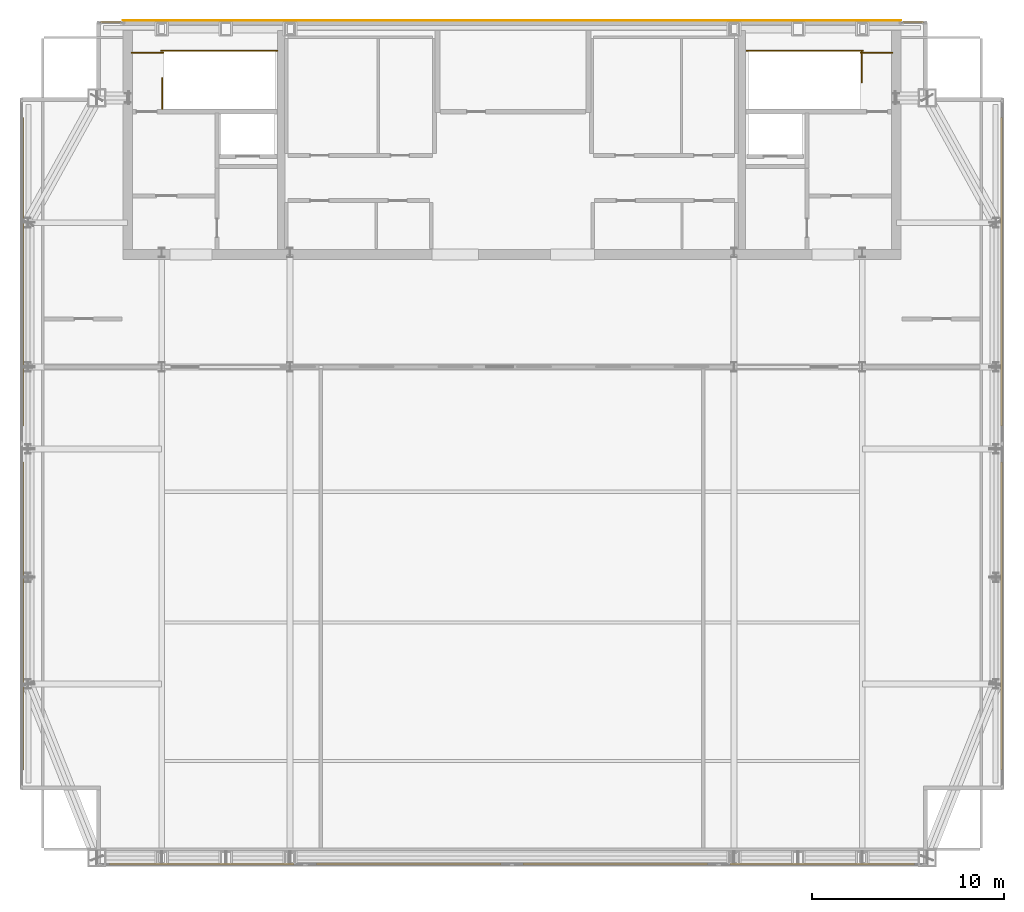
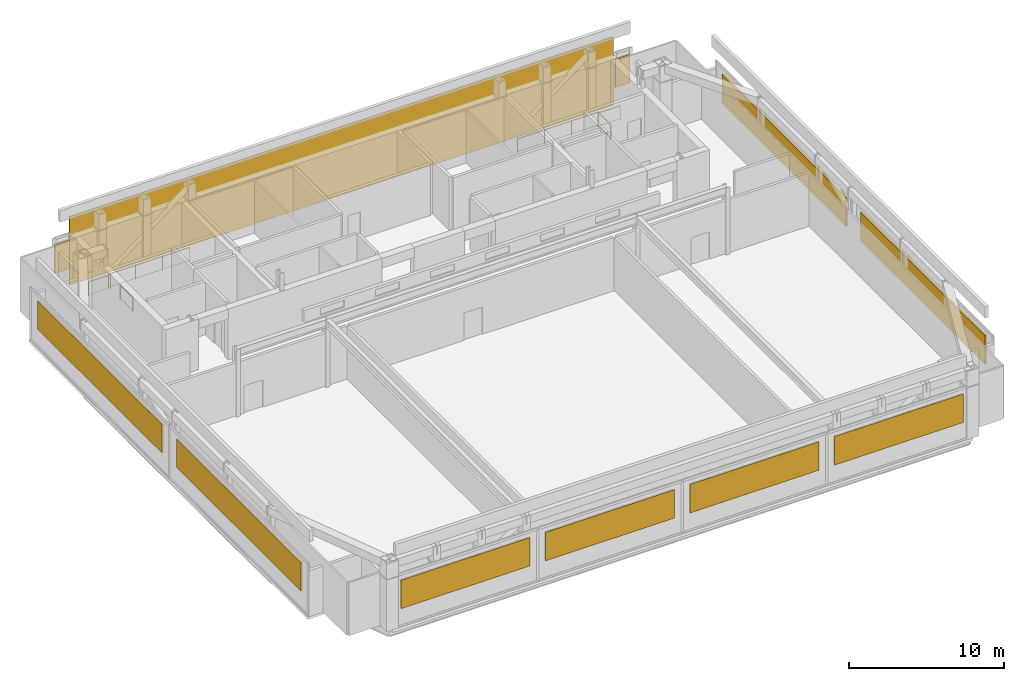
# One storey, part 24 of 24: 10 shading devices, 6 railings, 1 covering.
"""IFC4 building model written with IfcOpenShell, lengths in metres."""

import ifcopenshell
import ifcopenshell.guid

model = None  # the IFC model being written
_history = None  # IfcOwnerHistory: only IFC2X3 demands one
_inside = {}  # id of a spatial element -> (the spatial element, [elements in it])
_under = {}  # id of a project, library or spatial element -> (it, [spatial elements below it])
_declared = {}  # id of a project -> (the project, [libraries it declares])
_typed = {}  # id of a type object -> (the type object, [elements of that type])
_made_of = {}  # id of a material, layer set ... -> (it, [elements and type objects made of it])


def new_model(schema):
    """Start an empty IFC model of exactly this schema.

    Asked for "IFC4X3", IfcOpenShell would pick the latest addendum, in which some entities
    have other attributes; the version numbers below select the first issue.
    IFC2X3 requires an IfcOwnerHistory on every rooted entity: one is made here for all.
    """
    global model, _history
    if schema == "IFC4X3":
        model = ifcopenshell.file(schema_version=(4, 3, 0, 0))
    else:
        model = ifcopenshell.file(schema=schema)
    _inside.clear()
    _under.clear()
    _declared.clear()
    _typed.clear()
    _made_of.clear()
    _history = None
    if model.schema == "IFC2X3":
        org = make("IfcOrganization", Name="unknown")
        user = make(
            "IfcPersonAndOrganization",
            ThePerson=make("IfcPerson", FamilyName="unknown"),
            TheOrganization=org,
        )
        app = make(
            "IfcApplication",
            ApplicationDeveloper=org,
            Version="unknown",
            ApplicationFullName="unknown",
            ApplicationIdentifier="unknown",
        )
        _history = make(
            "IfcOwnerHistory",
            OwningUser=user,
            OwningApplication=app,
            ChangeAction="ADDED",
            CreationDate=0,
        )
    return model


def make(cls, **values):
    """One entity of the class cls with the attributes given. An attribute that is None is left unset."""
    return model.create_entity(
        cls, **{name: value for name, value in values.items() if value is not None}
    )


def rooted(cls, **values):
    """An entity with a GlobalId (a new one), such as an element, a storey or a relation."""
    return make(cls, GlobalId=ifcopenshell.guid.new(), OwnerHistory=_history, **values)


def si_unit(unit_type, name, prefix=None):
    """IfcSIUnit, for example si_unit("LENGTHUNIT", "METRE", prefix="MILLI")."""
    return make("IfcSIUnit", UnitType=unit_type, Prefix=prefix, Name=name)


def assignment(units):
    """IfcUnitAssignment: the units of a project."""
    return None if units is None else make("IfcUnitAssignment", Units=units)


def point(xyz):
    """IfcCartesianPoint."""
    return None if xyz is None else make("IfcCartesianPoint", Coordinates=xyz)


def direction(xyz):
    """IfcDirection."""
    return None if xyz is None else make("IfcDirection", DirectionRatios=xyz)


def frame(location, z_axis=None, x_axis=None):
    """IfcAxis2Placement3D, a coordinate frame: its origin and axes. An axis left out is left unset."""
    return make(
        "IfcAxis2Placement3D",
        Location=point(location),
        Axis=direction(z_axis),
        RefDirection=direction(x_axis),
    )


def frame_2d(location, x_axis=None):
    """IfcAxis2Placement2D, a coordinate frame in the plane: its origin and x axis."""
    return make(
        "IfcAxis2Placement2D", Location=point(location), RefDirection=direction(x_axis)
    )


def origin():
    """The frame at (0, 0, 0) with its axes left unset."""
    return frame((0.0, 0.0, 0.0))


def origin_2d():
    """The frame at (0, 0) in the plane with its x axis left unset."""
    return frame_2d((0.0, 0.0))


def place(relative_to, where):
    """IfcLocalPlacement: puts the frame where relative to a parent placement (None: the world)."""
    return make(
        "IfcLocalPlacement", PlacementRelTo=relative_to, RelativePlacement=where
    )


def context(
    kind, dimensions, precision=None, world=None, true_north=None, identifier=None
):
    """IfcGeometricRepresentationContext, for example the 3D "Model" context."""
    return make(
        "IfcGeometricRepresentationContext",
        ContextIdentifier=identifier,
        ContextType=kind,
        CoordinateSpaceDimension=dimensions,
        Precision=precision,
        WorldCoordinateSystem=world,
        TrueNorth=true_north,
    )


def subcontext(parent, identifier, kind, view, scale=None):
    """IfcGeometricRepresentationSubContext, for example "Body" below "Model"."""
    return make(
        "IfcGeometricRepresentationSubContext",
        ContextIdentifier=identifier,
        ContextType=kind,
        ParentContext=parent,
        TargetScale=scale,
        TargetView=view,
    )


def project(units=None, contexts=None):
    """IfcProject with its units and contexts."""
    return rooted(
        "IfcProject",
        Name="project",
        RepresentationContexts=contexts,
        UnitsInContext=assignment(units),
    )


def spatial(cls, under=None, at=None, **own):
    """A site, building, storey or space (cls), placed at a placement, below another one or the project."""
    s = rooted(cls, ObjectPlacement=at, **own)
    if under is not None:
        _under.setdefault(under.id(), (under, []))[1].append(s)
    return s


def polyline(points):
    """IfcPolyline through the points."""
    return make("IfcPolyline", Points=[point(p) for p in points])


def profile(cls, at=None, kind="AREA", **sizes):
    """A parametric profile (cls). Its sizes go by their IFC names, for example OverallWidth=200.0."""
    return make(cls, ProfileType=kind, Position=at, **sizes)


def rectangle(**sizes):
    """IfcRectangleProfileDef."""
    return profile("IfcRectangleProfileDef", **sizes)


def outline(outer, holes=None, kind="AREA"):
    """IfcArbitraryClosedProfileDef: a profile drawn as a closed curve; with holes, ...WithVoids."""
    if holes is None:
        return make("IfcArbitraryClosedProfileDef", ProfileType=kind, OuterCurve=outer)
    return make(
        "IfcArbitraryProfileDefWithVoids",
        ProfileType=kind,
        OuterCurve=outer,
        InnerCurves=holes,
    )


def extrude(swept, where, along, depth):
    """IfcExtrudedAreaSolid: the profile swept, set in the frame where, extruded along a direction by depth."""
    return make(
        "IfcExtrudedAreaSolid",
        SweptArea=swept,
        Position=where,
        ExtrudedDirection=direction(along),
        Depth=depth,
    )


def shape(context_of_items, identifier, shape_type, items):
    """IfcShapeRepresentation: the items that make up one representation, for example the "Body"."""
    return make(
        "IfcShapeRepresentation",
        ContextOfItems=context_of_items,
        RepresentationIdentifier=identifier,
        RepresentationType=shape_type,
        Items=items,
    )


def material(Name=None, Category=None):
    """IfcMaterial."""
    return make("IfcMaterial", Name=Name, Category=Category)


def layer(
    of_material, thickness, ventilated=None, Name=None, Category=None, Priority=None
):
    """IfcMaterialLayer: one layer of a wall or slab, of a material (None: an air gap)."""
    return make(
        "IfcMaterialLayer",
        Material=of_material,
        LayerThickness=thickness,
        IsVentilated=ventilated,
        Name=Name,
        Category=Category,
        Priority=Priority,
    )


def layer_set(layers, Name=None):
    """IfcMaterialLayerSet."""
    return make("IfcMaterialLayerSet", MaterialLayers=layers, LayerSetName=Name)


def made_of(thing, what):
    """Note that an element or type object is made of a material, layer set ...; save() writes the relation."""
    if what is not None:
        _made_of.setdefault(what.id(), (what, []))[1].append(thing)
    return thing


def type_object(cls, material=None, **own):
    """A type object (cls), such as IfcWallType, which elements share."""
    return made_of(rooted(cls, **own), material)


def element(
    cls,
    number,
    at=None,
    inside=None,
    cuts=None,
    type_object=None,
    material=None,
    context=None,
    identifier="Body",
    shape_type=None,
    held_by="IfcProductDefinitionShape",
    body=None,
    shapes=None,
    **own,
):
    """One element of the class cls, such as IfcWall. Its Tag is "e" and its number.

    at: its placement. inside: the storey or other place that contains it. cuts: it is an
    opening in that element (IfcRelVoidsElement). A single representation is given by context,
    identifier, shape_type and body (its items); several are given by shapes. held_by: the class
    of the entity that holds the representations. save() writes the other relations.
    """
    e = rooted(cls, Tag="e%d" % number, ObjectPlacement=at, **own)
    if body is not None:
        shapes = [shape(context, identifier, shape_type, body)]
    if shapes is not None:
        e.Representation = make(held_by, Representations=shapes)
    if inside is not None:
        _inside.setdefault(inside.id(), (inside, []))[1].append(e)
    if cuts is not None:
        rooted(
            "IfcRelVoidsElement", RelatingBuildingElement=cuts, RelatedOpeningElement=e
        )
    if type_object is not None:
        _typed.setdefault(type_object.id(), (type_object, []))[1].append(e)
    return made_of(e, material)


def aggregate(whole, parts):
    """IfcRelAggregates: a whole, such as a stair, and the parts it consists of."""
    return rooted("IfcRelAggregates", RelatingObject=whole, RelatedObjects=parts)


def save(model, path):
    """Write the relations noted so far, then the file.

    IfcRelAggregates (storeys below a building ...), IfcRelContainedInSpatialStructure (elements
    in a storey), IfcRelDefinesByType, IfcRelAssociatesMaterial and IfcRelDeclares: one each for
    every whole, place, type object, material and project.
    """
    for whole, parts in _under.values():
        aggregate(whole, parts)
    for where, things in _inside.values():
        rooted(
            "IfcRelContainedInSpatialStructure",
            RelatedElements=things,
            RelatingStructure=where,
        )
    for kind, things in _typed.values():
        rooted("IfcRelDefinesByType", RelatedObjects=things, RelatingType=kind)
    for what, things in _made_of.values():
        rooted("IfcRelAssociatesMaterial", RelatedObjects=things, RelatingMaterial=what)
    for by, libraries in _declared.values():
        rooted("IfcRelDeclares", RelatingContext=by, RelatedDefinitions=libraries)
    model.write(path)


model = new_model("IFC4")

# Units and contexts
model_context = context("Model", 3, precision=1e-05, world=origin(), true_north=direction((0.0, 1.0)))
body_context = subcontext(model_context, "Body", "Model", "MODEL_VIEW")
ifc_project = project(units=[si_unit("LENGTHUNIT", "METRE"), si_unit("AREAUNIT", "SQUARE_METRE"), si_unit("VOLUMEUNIT", "CUBIC_METRE"), si_unit("PLANEANGLEUNIT", "RADIAN"), si_unit("MASSUNIT", "GRAM", prefix="KILO")], contexts=[model_context])

# Site, building, storey
site_placement = place(None, origin())
site = spatial("IfcSite", under=ifc_project, at=site_placement, CompositionType="ELEMENT")
building_placement = place(site_placement, origin())
building = spatial("IfcBuilding", under=site, at=building_placement, Name="Khoronbel Lancet Exchange", CompositionType="ELEMENT")
storey_placement = place(building_placement, frame((0.0, 0.0, 378.60009765625)))
storey = spatial("IfcBuildingStorey", under=building, at=storey_placement, Name="L96", CompositionType="ELEMENT", Elevation=378.60009765625)

# Covering
ifc_material_1 = material(Name="Honed Egyptian Limestone & Bronze Rainscreen", Category="masonry")
ifc_layer_1 = layer(ifc_material_1, 0.050048828125, Name="Honed Egyptian Limestone & Bronze Rainscreen")
ifc_layer_set_1 = layer_set([ifc_layer_1], Name="Honed Egyptian Limestone & Bronze Rainscreen")
covering_type = type_object("IfcCoveringType", Name="COV-CLAD1", PredefinedType="CLADDING", material=ifc_layer_set_1)
covering_placement = place(storey_placement, origin())
element("IfcCovering", 1, at=covering_placement, inside=storey, type_object=covering_type, Name="Level L96 north rear-core stone and bronze rainscreen cladding", PredefinedType="CLADDING", context=body_context, shape_type="SweptSolid", body=[
    extrude(outline(polyline([(16.199951171875, 53.699951171875), (56.699951171875, 53.699951171875), (56.699951171875, 53.75), (16.199951171875, 53.75), (16.199951171875, 53.699951171875)])), origin(), (0.0, 0.0, 1.0), 5.389892578125),
])

# Railings
ifc_material_2 = material(Name="Painted Steel Balustrade", Category="steel")
railing_type = type_object("IfcRailingType", Name="RL-STG110", PredefinedType="GUARDRAIL", material=ifc_material_2)
railing_1_placement = place(storey_placement, frame((18.25, 49.1201171875, 0.0)))
element("IfcRailing", 2, at=railing_1_placement, inside=storey, type_object=railing_type, Name="L96 ST1 top well guard 1", PredefinedType="GUARDRAIL", context=body_context, shape_type="SweptSolid", body=[
    extrude(rectangle(XDim=0.048095703125, YDim=0.048095703125, at=origin_2d()), frame((0.0, 0.0, 1.09619140625), z_axis=(0.0, 1.0, 0.0), x_axis=(-1.0, 0.0, 0.0)), (0.0, 0.0, 1.0), 1.599853515625),
    extrude(rectangle(XDim=0.02392578125, YDim=0.02392578125, at=origin_2d()), frame((0.0, 0.0, 0.080078125), z_axis=(0.0, 1.0, 0.0), x_axis=(-1.0, 0.0, 0.0)), (0.0, 0.0, 1.0), 1.599853515625),
    extrude(rectangle(XDim=0.0419921875, YDim=0.0419921875, at=origin_2d()), origin(), (0.0, 0.0, 1.0), 1.072021484375),
    extrude(rectangle(XDim=0.0419921875, YDim=0.0419921875, at=origin_2d()), frame((0.0, 1.599853515625, 0.0)), (0.0, 0.0, 1.0), 1.072021484375),
])
railing_2_placement = place(storey_placement, frame((18.199951171875, 52.14990234375, 0.0)))
element("IfcRailing", 3, at=railing_2_placement, inside=storey, type_object=railing_type, Name="L96 ST1 top well guard 2", PredefinedType="GUARDRAIL", context=body_context, shape_type="SweptSolid", body=[
    extrude(rectangle(XDim=0.048095703125, YDim=0.048095703125, at=origin_2d()), frame((0.0, 0.0, 1.09619140625), z_axis=(1.0, 0.0, 0.0), x_axis=(0.0, 1.0, 0.0)), (0.0, 0.0, 1.0), 6.050048828125),
    extrude(rectangle(XDim=0.02392578125, YDim=0.02392578125, at=origin_2d()), frame((0.0, 0.0, 0.080078125), z_axis=(1.0, 0.0, 0.0), x_axis=(0.0, 1.0, 0.0)), (0.0, 0.0, 1.0), 6.050048828125),
    extrude(rectangle(XDim=0.0419921875, YDim=0.0419921875, at=origin_2d()), origin(), (0.0, 0.0, 1.0), 1.072021484375),
    extrude(rectangle(XDim=0.0419921875, YDim=0.0419921875, at=origin_2d()), frame((2.0166015625, 0.0, 0.0)), (0.0, 0.0, 1.0), 1.072021484375),
    extrude(rectangle(XDim=0.0419921875, YDim=0.0419921875, at=origin_2d()), frame((4.033447265625, 0.0, 0.0)), (0.0, 0.0, 1.0), 1.072021484375),
    extrude(rectangle(XDim=0.0419921875, YDim=0.0419921875, at=origin_2d()), frame((6.050048828125, 0.0, 0.0)), (0.0, 0.0, 1.0), 1.072021484375),
])
railing_3_placement = place(storey_placement, frame((16.64990234375, 52.050048828125, 0.0)))
element("IfcRailing", 4, at=railing_3_placement, inside=storey, type_object=railing_type, Name="L96 ST1 top well guard 3", PredefinedType="GUARDRAIL", context=body_context, shape_type="SweptSolid", body=[
    extrude(rectangle(XDim=0.048095703125, YDim=0.048095703125, at=origin_2d()), frame((0.0, 0.0, 1.09619140625), z_axis=(1.0, 0.0, 0.0), x_axis=(0.0, 1.0, 0.0)), (0.0, 0.0, 1.0), 1.650146484375),
    extrude(rectangle(XDim=0.02392578125, YDim=0.02392578125, at=origin_2d()), frame((0.0, 0.0, 0.080078125), z_axis=(1.0, 0.0, 0.0), x_axis=(0.0, 1.0, 0.0)), (0.0, 0.0, 1.0), 1.650146484375),
    extrude(rectangle(XDim=0.0419921875, YDim=0.0419921875, at=origin_2d()), origin(), (0.0, 0.0, 1.0), 1.072021484375),
    extrude(rectangle(XDim=0.0419921875, YDim=0.0419921875, at=origin_2d()), frame((1.650146484375, 0.0, 0.0)), (0.0, 0.0, 1.0), 1.072021484375),
])
railing_4_placement = place(storey_placement, frame((54.64990234375, 52.10009765625, 0.0)))
element("IfcRailing", 5, at=railing_4_placement, inside=storey, type_object=railing_type, Name="L96 ST2 top well guard 1", PredefinedType="GUARDRAIL", context=body_context, shape_type="SweptSolid", body=[
    extrude(rectangle(XDim=0.048095703125, YDim=0.048095703125, at=origin_2d()), frame((0.0, 0.0, 1.09619140625), z_axis=(0.0, -1.0, 0.0), x_axis=(1.0, 0.0, 0.0)), (0.0, 0.0, 1.0), 1.60009765625),
    extrude(rectangle(XDim=0.02392578125, YDim=0.02392578125, at=origin_2d()), frame((0.0, 0.0, 0.080078125), z_axis=(0.0, -1.0, 0.0), x_axis=(1.0, 0.0, 0.0)), (0.0, 0.0, 1.0), 1.60009765625),
    extrude(rectangle(XDim=0.0419921875, YDim=0.0419921875, at=origin_2d()), origin(), (0.0, 0.0, 1.0), 1.072021484375),
    extrude(rectangle(XDim=0.0419921875, YDim=0.0419921875, at=origin_2d()), frame((0.0, -1.60009765625, 0.0)), (0.0, 0.0, 1.0), 1.072021484375),
])
railing_5_placement = place(storey_placement, frame((54.699951171875, 52.14990234375, 0.0)))
element("IfcRailing", 6, at=railing_5_placement, inside=storey, type_object=railing_type, Name="L96 ST2 top well guard 2", PredefinedType="GUARDRAIL", context=body_context, shape_type="SweptSolid", body=[
    extrude(rectangle(XDim=0.048095703125, YDim=0.048095703125, at=origin_2d()), frame((0.0, 0.0, 1.09619140625), z_axis=(-1.0, 0.0, 0.0), x_axis=(0.0, -1.0, 0.0)), (0.0, 0.0, 1.0), 6.050048828125),
    extrude(rectangle(XDim=0.02392578125, YDim=0.02392578125, at=origin_2d()), frame((0.0, 0.0, 0.080078125), z_axis=(-1.0, 0.0, 0.0), x_axis=(0.0, -1.0, 0.0)), (0.0, 0.0, 1.0), 6.050048828125),
    extrude(rectangle(XDim=0.0419921875, YDim=0.0419921875, at=origin_2d()), origin(), (0.0, 0.0, 1.0), 1.072021484375),
    extrude(rectangle(XDim=0.0419921875, YDim=0.0419921875, at=origin_2d()), frame((-2.0166015625, 0.0, 0.0)), (0.0, 0.0, 1.0), 1.072021484375),
    extrude(rectangle(XDim=0.0419921875, YDim=0.0419921875, at=origin_2d()), frame((-4.033447265625, 0.0, 0.0)), (0.0, 0.0, 1.0), 1.072021484375),
    extrude(rectangle(XDim=0.0419921875, YDim=0.0419921875, at=origin_2d()), frame((-6.050048828125, 0.0, 0.0)), (0.0, 0.0, 1.0), 1.072021484375),
])
railing_6_placement = place(storey_placement, frame((56.25, 52.050048828125, 0.0)))
element("IfcRailing", 7, at=railing_6_placement, inside=storey, type_object=railing_type, Name="L96 ST2 top well guard 3", PredefinedType="GUARDRAIL", context=body_context, shape_type="SweptSolid", body=[
    extrude(rectangle(XDim=0.048095703125, YDim=0.048095703125, at=origin_2d()), frame((0.0, 0.0, 1.09619140625), z_axis=(-1.0, 0.0, 0.0), x_axis=(0.0, -1.0, 0.0)), (0.0, 0.0, 1.0), 1.64990234375),
    extrude(rectangle(XDim=0.02392578125, YDim=0.02392578125, at=origin_2d()), frame((0.0, 0.0, 0.080078125), z_axis=(-1.0, 0.0, 0.0), x_axis=(0.0, -1.0, 0.0)), (0.0, 0.0, 1.0), 1.64990234375),
    extrude(rectangle(XDim=0.0419921875, YDim=0.0419921875, at=origin_2d()), origin(), (0.0, 0.0, 1.0), 1.072021484375),
    extrude(rectangle(XDim=0.0419921875, YDim=0.0419921875, at=origin_2d()), frame((-1.64990234375, 0.0, 0.0)), (0.0, 0.0, 1.0), 1.072021484375),
])

# Shading devices
ifc_material_3 = material(Name="Bronze-Anodised Aluminium 6063-T6", Category="aluminium")
ifc_layer_2 = layer(ifc_material_3, 0.159912109375, Name="Bronze-Anodised Aluminium 6063-T6")
ifc_layer_set_2 = layer_set([ifc_layer_2], Name="Bronze-Anodised Aluminium 6063-T6")
shading_device_type = type_object("IfcShadingDeviceType", Name="SHD-LVR2", PredefinedType="JALOUSIE", material=ifc_layer_set_2)
for number, where, z_axis, x_axis, name in (
    (8, (10.97998046875, 22.7451171875, 1.40673828125), (0.0, 0.0, 1.0), (0.0, 1.0, 0.0), "Sand-trap bronze acoustic louvre CW-L96-E03-1"),
    (9, (10.97998046875, 40.655029296875, 1.40673828125), (0.0, 0.0, 1.0), (0.0, 1.0, 0.0), "Sand-trap bronze acoustic louvre CW-L96-E03-2"),
):
    element("IfcShadingDevice", number, at=place(storey_placement, frame(where, z_axis=z_axis, x_axis=x_axis)), inside=storey, type_object=shading_device_type, Name=name, PredefinedType="JALOUSIE", context=body_context, shape_type="SweptSolid", body=[
        extrude(rectangle(XDim=16.0380859375, YDim=0.1201171875, at=origin_2d()), origin(), (0.0, 0.0, 1.0), 2.246337890625),
    ])
for number, where, z_axis, x_axis, name in (
    (10, (15.580078125, 53.64990234375, 1.40673828125), (0.0, 0.0, 1.0), (-1.0, 0.0, 0.0), "Sand-trap bronze acoustic louvre CW-L96-NWFLK-1"),
    (11, (57.320068359375, 53.64990234375, 1.40673828125), (0.0, 0.0, 1.0), (-1.0, 0.0, 0.0), "Sand-trap bronze acoustic louvre CW-L96-NEFLK-1"),
):
    element("IfcShadingDevice", number, at=place(storey_placement, frame(where, z_axis=z_axis, x_axis=x_axis)), inside=storey, type_object=shading_device_type, Name=name, PredefinedType="JALOUSIE", context=body_context, shape_type="SweptSolid", body=[
        extrude(rectangle(XDim=1.071044921875, YDim=0.1201171875, at=origin_2d()), origin(), (0.0, 0.0, 1.0), 2.246337890625),
    ])
for number, where, z_axis, x_axis, name in (
    (12, (61.919921875, 40.655029296875, 1.40673828125), (0.0, 0.0, 1.0), (0.0, -1.0, 0.0), "Sand-trap bronze acoustic louvre CW-L96-E09-1"),
    (13, (61.919921875, 22.7451171875, 1.40673828125), (0.0, 0.0, 1.0), (0.0, -1.0, 0.0), "Sand-trap bronze acoustic louvre CW-L96-E09-2"),
):
    element("IfcShadingDevice", number, at=place(storey_placement, frame(where, z_axis=z_axis, x_axis=x_axis)), inside=storey, type_object=shading_device_type, Name=name, PredefinedType="JALOUSIE", context=body_context, shape_type="SweptSolid", body=[
        extrude(rectangle(XDim=16.0380859375, YDim=0.1201171875, at=origin_2d()), origin(), (0.0, 0.0, 1.0), 2.246337890625),
    ])
for number, where, z_axis, x_axis, name in (
    (14, (52.58251953125, 9.830078125, 1.40673828125), (0.0, 0.0, 1.0), (-1.0, 0.0, 0.0), "Sand-trap bronze acoustic louvre CW-L96-E12-1"),
    (15, (41.827392578125, 9.830078125, 1.40673828125), (0.0, 0.0, 1.0), (-1.0, 0.0, 0.0), "Sand-trap bronze acoustic louvre CW-L96-E12-2"),
    (16, (31.072509765625, 9.830078125, 1.40673828125), (0.0, 0.0, 1.0), (-1.0, 0.0, 0.0), "Sand-trap bronze acoustic louvre CW-L96-E12-3"),
    (17, (20.3173828125, 9.830078125, 1.40673828125), (0.0, 0.0, 1.0), (-1.0, 0.0, 0.0), "Sand-trap bronze acoustic louvre CW-L96-E12-4"),
):
    element("IfcShadingDevice", number, at=place(storey_placement, frame(where, z_axis=z_axis, x_axis=x_axis)), inside=storey, type_object=shading_device_type, Name=name, PredefinedType="JALOUSIE", context=body_context, shape_type="SweptSolid", body=[
        extrude(rectangle(XDim=9.598388671875, YDim=0.1201171875, at=origin_2d()), origin(), (0.0, 0.0, 1.0), 2.246337890625),
    ])

save(model, "model.ifc")
